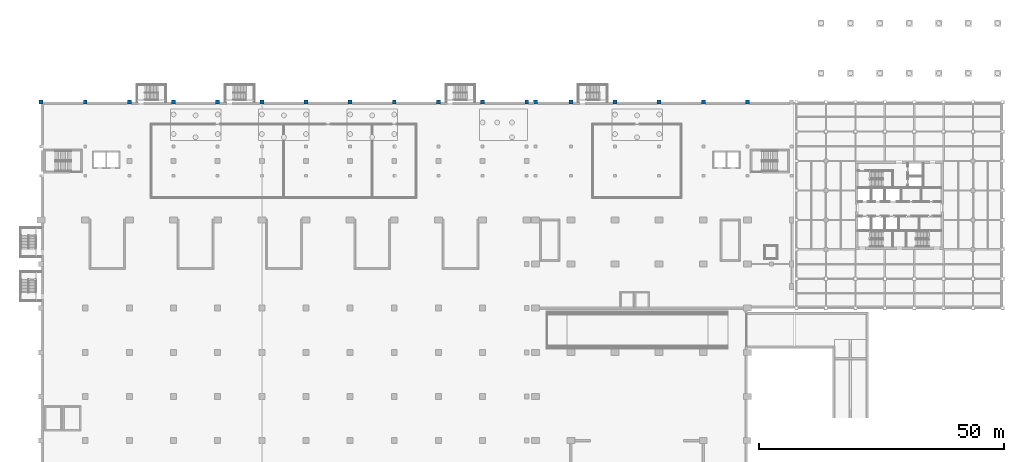
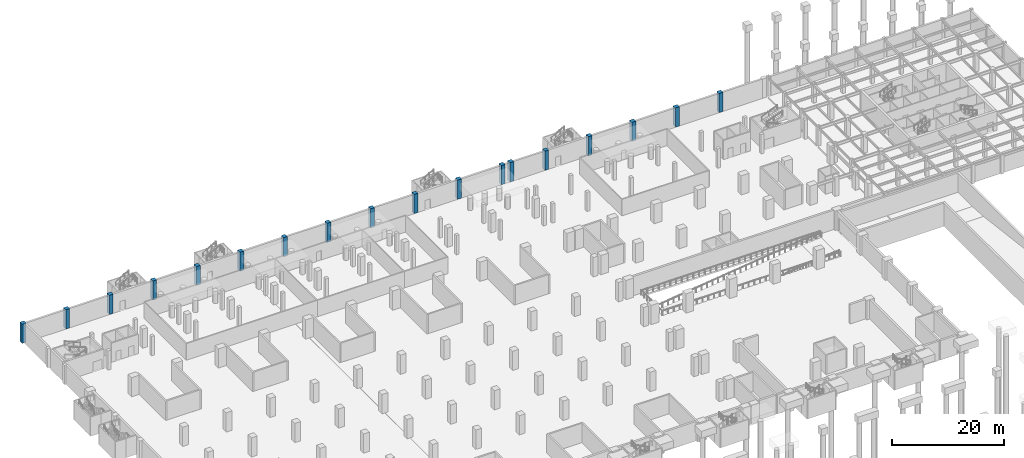
# One storey, part 5 of 27: 18 columns.
"""IFC4 building model written with IfcOpenShell, lengths in metres."""

from ifc_helpers import new_model, si_unit, direction, frame, origin, origin_2d, place, context, subcontext, project, spatial, rectangle, extrude, material, material_profile, profile_set, type_object, element, save


model = new_model("IFC4")

# Units and contexts
model_context = context("Model", 3, precision=1e-05, world=origin(), true_north=direction((0.0, 1.0)))
body_context = subcontext(model_context, "Body", "Model", "MODEL_VIEW")
ifc_project = project(units=[si_unit("LENGTHUNIT", "METRE"), si_unit("AREAUNIT", "SQUARE_METRE"), si_unit("VOLUMEUNIT", "CUBIC_METRE"), si_unit("PLANEANGLEUNIT", "RADIAN"), si_unit("MASSUNIT", "GRAM", prefix="KILO")], contexts=[model_context])

# Site, building, storey
site_placement = place(None, origin())
site = spatial("IfcSite", under=ifc_project, at=site_placement, CompositionType="ELEMENT")
building_placement = place(site_placement, origin())
building = spatial("IfcBuilding", under=site, at=building_placement, Name="Aravalli Gate Trade Fair Centre", CompositionType="ELEMENT")
storey_placement = place(building_placement, frame((0.0, 0.0, -4.199951171875)))
storey = spatial("IfcBuildingStorey", under=building, at=storey_placement, Name="B1", CompositionType="ELEMENT", Elevation=-4.199951171875)

# Columns
ifc_material = material(Name="Concrete M45", Category="concrete")
ifc_material_profile = material_profile(ifc_material, rectangle(XDim=0.800048828125, YDim=0.800048828125, at=origin_2d()), Name="RC column 800 x 800")
ifc_profile_set = profile_set([ifc_material_profile], Name="Concrete M45")
column_type = type_object("IfcColumnType", Name="RC column 800 x 800", PredefinedType="COLUMN", material=ifc_profile_set)
for number, where, z_axis, x_axis, name in (
    (1, (6.0, 133.0, 0.0), (0.0, 0.0, 1.0), (1.0, 0.0, 0.0), "Concourse column K01 B1"),
    (2, (15.0, 133.0, 0.0), (0.0, 0.0, 1.0), (1.0, 0.0, 0.0), "Concourse column K02 B1"),
    (3, (24.0, 133.0, 0.0), (0.0, 0.0, 1.0), (1.0, 0.0, 0.0), "Concourse column K03 B1"),
    (4, (33.0, 133.0, 0.0), (0.0, 0.0, 1.0), (1.0, 0.0, 0.0), "Concourse column K04 B1"),
    (5, (42.0, 133.0, 0.0), (0.0, 0.0, 1.0), (1.0, 0.0, 0.0), "Concourse column K05 B1"),
    (6, (51.0, 133.0, 0.0), (0.0, 0.0, 1.0), (1.0, 0.0, 0.0), "Concourse column K06 B1"),
    (7, (60.0, 133.0, 0.0), (0.0, 0.0, 1.0), (1.0, 0.0, 0.0), "Concourse column K07 B1"),
    (8, (69.0, 133.0, 0.0), (0.0, 0.0, 1.0), (1.0, 0.0, 0.0), "Concourse column K08 B1"),
    (9, (78.0, 133.0, 0.0), (0.0, 0.0, 1.0), (1.0, 0.0, 0.0), "Concourse column K09 B1"),
    (10, (87.0, 133.0, 0.0), (0.0, 0.0, 1.0), (1.0, 0.0, 0.0), "Concourse column K10 B1"),
    (11, (96.0, 133.0, 0.0), (0.0, 0.0, 1.0), (1.0, 0.0, 0.0), "Concourse column K11 B1"),
    (12, (105.0, 133.0, 0.0), (0.0, 0.0, 1.0), (1.0, 0.0, 0.0), "Concourse column K12 B1"),
    (13, (106.800048828125, 133.0, 0.0), (0.0, 0.0, 1.0), (1.0, 0.0, 0.0), "Concourse column K12A B1"),
    (14, (114.0, 133.0, 0.0), (0.0, 0.0, 1.0), (1.0, 0.0, 0.0), "Concourse column K13 B1"),
    (15, (123.0, 133.0, 0.0), (0.0, 0.0, 1.0), (1.0, 0.0, 0.0), "Concourse column K14 B1"),
    (16, (132.0, 133.0, 0.0), (0.0, 0.0, 1.0), (1.0, 0.0, 0.0), "Concourse column K15 B1"),
    (17, (141.0, 133.0, 0.0), (0.0, 0.0, 1.0), (1.0, 0.0, 0.0), "Concourse column K16 B1"),
    (18, (150.0, 133.0, 0.0), (0.0, 0.0, 1.0), (1.0, 0.0, 0.0), "Concourse column K17 B1"),
):
    element("IfcColumn", number, at=place(storey_placement, frame(where, z_axis=z_axis, x_axis=x_axis)), inside=storey, type_object=column_type, Name=name, PredefinedType="COLUMN", context=body_context, shape_type="SweptSolid", body=[
        extrude(rectangle(XDim=0.800048828125, YDim=0.800048828125, at=origin_2d()), origin(), (0.0, 0.0, 1.0), 4.199951171875),
    ])

save(model, "model.ifc")
